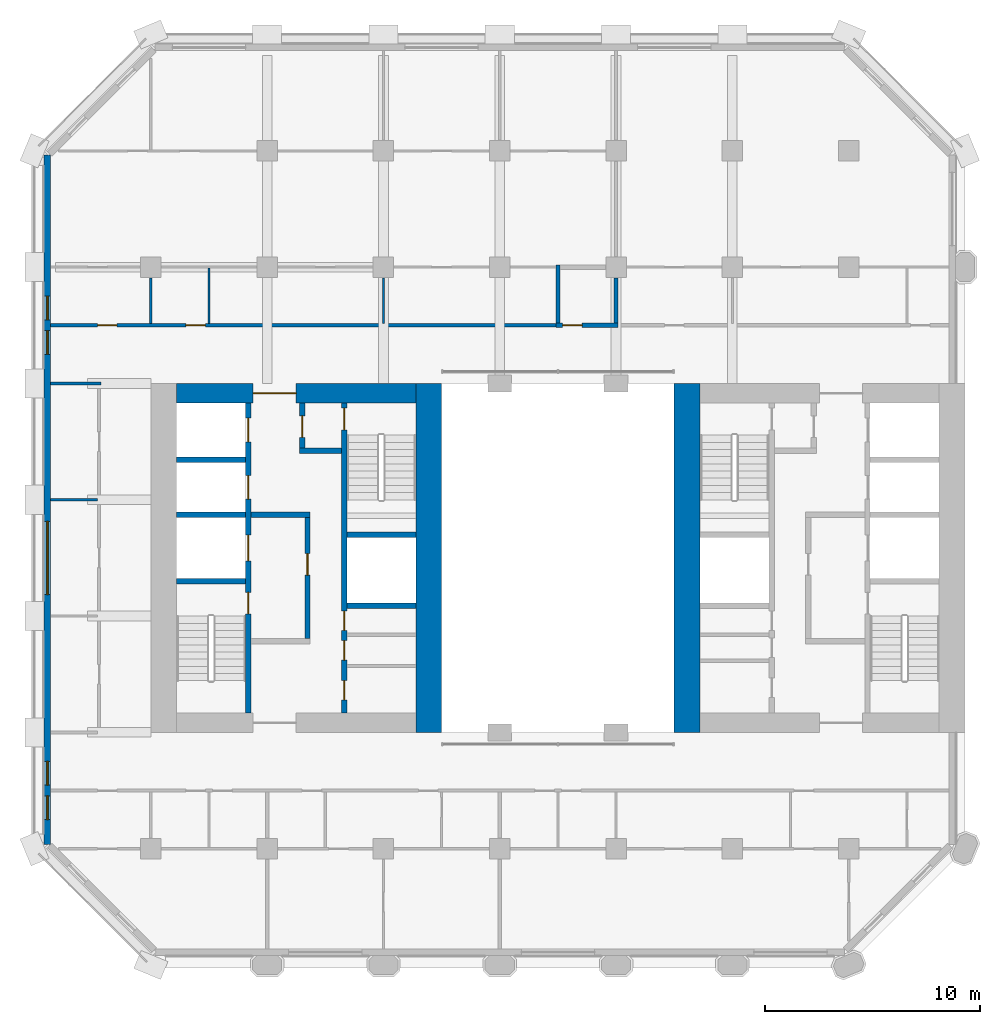
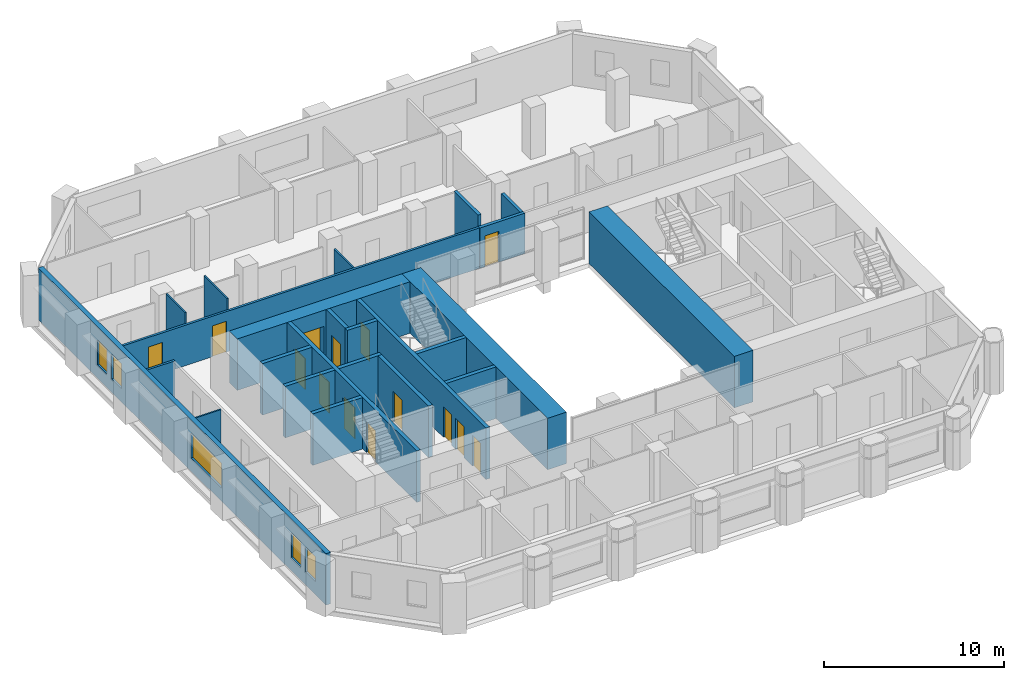
# One storey, part 7 of 13: 24 walls, 14 doors, 5 windows, 19 openings.
"""IFC4 building model written with IfcOpenShell, lengths in metres."""

from ifc_helpers import new_model, si_unit, direction, frame, frame_2d, origin, place, context, subcontext, project, spatial, rectangle, extrude, material, layer, layer_set, type_object, element, fill, save


model = new_model("IFC4")

# Units and contexts
model_context = context("Model", 3, precision=1e-05, world=origin(), true_north=direction((0.0, 1.0)))
body_context = subcontext(model_context, "Body", "Model", "MODEL_VIEW")
ifc_project = project(units=[si_unit("LENGTHUNIT", "METRE"), si_unit("AREAUNIT", "SQUARE_METRE"), si_unit("VOLUMEUNIT", "CUBIC_METRE"), si_unit("PLANEANGLEUNIT", "RADIAN"), si_unit("MASSUNIT", "GRAM", prefix="KILO")], contexts=[model_context])

# Site, building, storey
site_placement = place(None, origin())
site = spatial("IfcSite", under=ifc_project, at=site_placement, CompositionType="ELEMENT")
building_placement = place(site_placement, origin())
building = spatial("IfcBuilding", under=site, at=building_placement, Name="Tabaq Tower and Sports Hall", CompositionType="ELEMENT")
storey_placement = place(building_placement, frame((0.0, 0.0, 106.800048828125)))
storey = spatial("IfcBuildingStorey", under=building, at=storey_placement, Name="L25", CompositionType="ELEMENT", Elevation=106.800048828125)

# Walls
ifc_material_1 = material(Name="Concrete C60/75", Category="concrete")
ifc_layer_1 = layer(ifc_material_1, 1.199951171875)
ifc_layer_set_1 = layer_set([ifc_layer_1], Name="Core wall 1200 Concrete C60/75")
wall_type_1 = type_object("IfcWallType", Name="Core wall 1200 Concrete C60/75", PredefinedType="SOLIDWALL", material=ifc_layer_set_1)
for number, where, z_axis, x_axis, name in (
    (1, (18.300048828125, 32.39990234375, 0.0), (0.0, 0.0, 1.0), (0.0, -1.0, 0.0), "Core wall W L25"),
    (2, (30.300048828125, 16.199951171875, 0.0), (0.0, 0.0, 1.0), (0.0, 1.0, 0.0), "Core wall E L25"),
):
    element("IfcWall", number, at=place(storey_placement, frame(where, z_axis=z_axis, x_axis=x_axis)), inside=storey, type_object=wall_type_1, Name=name, PredefinedType="SOLIDWALL", context=body_context, shape_type="SweptSolid", body=[
        extrude(rectangle(XDim=16.199951171875, YDim=1.199951171875, at=frame_2d((8.10009765625, 0.0))), origin(), (0.0, 0.0, 1.0), 3.5),
    ])

# Wall, opening, door
ifc_material_2 = material(Name="Concrete C60/75", Category="concrete")
ifc_layer_2 = layer(ifc_material_2, 0.89990234375)
ifc_layer_set_2 = layer_set([ifc_layer_2], Name="Core wall 900 Concrete C60/75")
wall_type_2 = type_object("IfcWallType", Name="Core wall 900 Concrete C60/75", PredefinedType="SOLIDWALL", material=ifc_layer_set_2)
wall_1_placement = place(storey_placement, frame((6.60009765625, 31.949951171875, 0.0), z_axis=(0.0, 0.0, 1.0), x_axis=(1.0, 0.0, 0.0)))
wall_1 = element("IfcWall", 3, at=wall_1_placement, inside=storey, type_object=wall_type_2, Name="Core wall W L25", PredefinedType="SOLIDWALL", context=body_context, shape_type="SweptSolid", body=[
    extrude(rectangle(XDim=11.099853515625, YDim=0.89990234375, at=frame_2d((5.5498046875, 0.0))), origin(), (0.0, 0.0, 1.0), 3.5),
])
opening_1_placement = place(wall_1_placement, frame((3.550048828125, 0.0, 0.0)))
opening_1 = element("IfcOpeningElement", 4, at=opening_1_placement, cuts=wall_1, Name="Opening PD-WL25-02", PredefinedType="OPENING", context=body_context, shape_type="SweptSolid", body=[
    extrude(rectangle(XDim=2.0, YDim=2.39990234375, at=frame_2d((1.0, 1.199951171875))), frame((0.0, 0.449951171875, 0.0), z_axis=(0.0, -1.0, 0.0), x_axis=(1.0, 0.0, 0.0)), (0.0, 0.0, 1.0), 0.89990234375),
])
ifc_material_3 = material(Name="Steel fire door", Category="steel")
door_type_1 = type_object("IfcDoorType", Name="Core entrance door 2000", OperationType="DOUBLE_DOOR_SINGLE_SWING", PredefinedType="DOOR", material=ifc_material_3)
door_1_placement = place(opening_1_placement, origin())
door_1 = element("IfcDoor", 5, at=door_1_placement, inside=storey, type_object=door_type_1, Name="Core entrance north W L25", OperationType="DOUBLE_DOOR_SINGLE_SWING", OverallHeight=2.39990234375, OverallWidth=2.0, PredefinedType="DOOR", context=body_context, shape_type="SweptSolid", body=[
    extrude(rectangle(XDim=2.0, YDim=2.39990234375, at=frame_2d((1.0, 1.199951171875))), frame((0.0, 0.02490234375, 0.0), z_axis=(0.0, -1.0, 0.0), x_axis=(1.0, 0.0, 0.0)), (0.0, 0.0, 1.0), 0.050048828125),
])
fill(opening_1, door_1)

ifc_material_4 = material(Name="Blockwork", Category="masonry")
ifc_layer_3 = layer(ifc_material_4, 0.199951171875)
ifc_layer_set_3 = layer_set([ifc_layer_3], Name="Fire compartment wall 200 Blockwork")
wall_type_3 = type_object("IfcWallType", Name="Fire compartment wall 200 Blockwork", PredefinedType="PARTITIONING", material=ifc_layer_set_3)
wall_2_placement = place(storey_placement, frame((27.10009765625, 35.10009765625, 0.0), z_axis=(0.0, 0.0, 1.0), x_axis=(-1.0, 0.0, 0.0)))
wall_2 = element("IfcWall", 6, at=wall_2_placement, inside=storey, type_object=wall_type_3, Name="Compartment wall L25", PredefinedType="PARTITIONING", context=body_context, shape_type="SweptSolid", body=[
    extrude(rectangle(XDim=2.900146484375, YDim=0.199951171875, at=frame_2d((1.4501953125, 0.0))), origin(), (0.0, 0.0, 1.0), 2.75),
])
opening_2_placement = place(wall_2_placement, frame((1.679931640625, 0.0, 0.0)))
opening_2 = element("IfcOpeningElement", 7, at=opening_2_placement, cuts=wall_2, Name="Opening L25-002", PredefinedType="OPENING", context=body_context, shape_type="SweptSolid", body=[
    extrude(rectangle(XDim=0.89990234375, YDim=2.10009765625, at=frame_2d((0.449951171875, 1.050048828125))), frame((0.0, 0.10009765625, 0.0), z_axis=(0.0, -1.0, 0.0), x_axis=(1.0, 0.0, 0.0)), (0.0, 0.0, 1.0), 0.199951171875),
])
ifc_material_5 = material(Name="Steel fire door", Category="steel")
door_type_2 = type_object("IfcDoorType", Name="Plant room door 900 left hand", OperationType="SINGLE_SWING_LEFT", PredefinedType="DOOR", material=ifc_material_5)
door_2_placement = place(opening_2_placement, origin())
door_2 = element("IfcDoor", 8, at=door_2_placement, inside=storey, type_object=door_type_2, Name="Plant room door L25-002", OperationType="SINGLE_SWING_LEFT", OverallHeight=2.10009765625, OverallWidth=0.89990234375, PredefinedType="DOOR", context=body_context, shape_type="SweptSolid", body=[
    extrude(rectangle(XDim=0.89990234375, YDim=2.10009765625, at=frame_2d((0.449951171875, 1.050048828125))), frame((0.0, 0.02490234375, 0.0), z_axis=(0.0, -1.0, 0.0), x_axis=(1.0, 0.0, 0.0)), (0.0, 0.0, 1.0), 0.050048828125),
])
fill(opening_2, door_2)

# Walls
wall_3_placement = place(storey_placement, frame((24.300048828125, 35.199951171875, 0.0), z_axis=(0.0, 0.0, 1.0), x_axis=(0.0, 1.0, 0.0)))
element("IfcWall", 9, at=wall_3_placement, inside=storey, type_object=wall_type_3, Name="Compartment wall L25", PredefinedType="PARTITIONING", context=body_context, shape_type="SweptSolid", body=[
    extrude(rectangle(XDim=2.699951171875, YDim=0.199951171875, at=frame_2d((1.35009765625, 0.0))), origin(), (0.0, 0.0, 1.0), 3.5),
])
wall_4_placement = place(storey_placement, frame((27.0, 35.199951171875, 0.0), z_axis=(0.0, 0.0, 1.0), x_axis=(0.0, 1.0, 0.0)))
element("IfcWall", 10, at=wall_4_placement, inside=storey, type_object=wall_type_3, Name="Compartment wall L25", PredefinedType="PARTITIONING", context=body_context, shape_type="SweptSolid", body=[
    extrude(rectangle(XDim=2.10498046875, YDim=0.199951171875, at=frame_2d((1.052490234375, 0.0))), origin(), (0.0, 0.0, 1.0), 2.75),
])
ifc_material_6 = material(Name="Gypsum board on steel studs", Category="steel")
ifc_layer_4 = layer(ifc_material_6, 0.10009765625)
ifc_layer_set_4 = layer_set([ifc_layer_4], Name="Partition 100 Gypsum board")
wall_type_4 = type_object("IfcWallType", Name="Partition 100 Gypsum board", PredefinedType="PARTITIONING", material=ifc_layer_set_4)
wall_5_placement = place(storey_placement, frame((5.39990234375, 35.175048828125, 0.0), z_axis=(0.0, 0.0, 1.0), x_axis=(0.0, 1.0, 0.0)))
element("IfcWall", 11, at=wall_5_placement, inside=storey, type_object=wall_type_4, Name="Partition wall L25", PredefinedType="PARTITIONING", context=body_context, shape_type="SweptSolid", body=[
    extrude(rectangle(XDim=2.1298828125, YDim=0.10009765625, at=frame_2d((1.06494140625, 0.0))), origin(), (0.0, 0.0, 1.0), 3.5),
])
wall_6_placement = place(storey_placement, frame((8.10009765625, 35.175048828125, 0.0), z_axis=(0.0, 0.0, 1.0), x_axis=(0.0, 1.0, 0.0)))
element("IfcWall", 12, at=wall_6_placement, inside=storey, type_object=wall_type_4, Name="Partition wall L25", PredefinedType="PARTITIONING", context=body_context, shape_type="SweptSolid", body=[
    extrude(rectangle(XDim=2.574951171875, YDim=0.10009765625, at=frame_2d((1.28759765625, 0.0))), origin(), (0.0, 0.0, 1.0), 3.5),
])
wall_7_placement = place(storey_placement, frame((16.199951171875, 35.175048828125, 0.0), z_axis=(0.0, 0.0, 1.0), x_axis=(0.0, 1.0, 0.0)))
element("IfcWall", 13, at=wall_7_placement, inside=storey, type_object=wall_type_4, Name="Partition wall L25", PredefinedType="PARTITIONING", context=body_context, shape_type="SweptSolid", body=[
    extrude(rectangle(XDim=2.1298828125, YDim=0.10009765625, at=frame_2d((1.06494140625, 0.0))), origin(), (0.0, 0.0, 1.0), 2.75),
])
wall_8_placement = place(storey_placement, frame((2.925048828125, 27.0, 0.0), z_axis=(0.0, 0.0, 1.0), x_axis=(-1.0, 0.0, 0.0)))
element("IfcWall", 14, at=wall_8_placement, inside=storey, type_object=wall_type_4, Name="Partition wall L25", PredefinedType="PARTITIONING", context=body_context, shape_type="SweptSolid", body=[
    extrude(rectangle(XDim=2.174072265625, YDim=0.10009765625, at=frame_2d((1.0869140625, 0.0))), origin(), (0.0, 0.0, 1.0), 2.75),
])

# Wall, openings, doors
ifc_material_7 = material(Name="Blockwork", Category="masonry")
ifc_layer_5 = layer(ifc_material_7, 0.14990234375)
ifc_layer_set_5 = layer_set([ifc_layer_5], Name="Separating wall 150 Blockwork")
wall_type_5 = type_object("IfcWallType", Name="Separating wall 150 Blockwork", PredefinedType="PARTITIONING", material=ifc_layer_set_5)
wall_9_placement = place(storey_placement, frame((24.199951171875, 35.10009765625, 0.0), z_axis=(0.0, 0.0, 1.0), x_axis=(-1.0, 0.0, 0.0)))
wall_9 = element("IfcWall", 15, at=wall_9_placement, inside=storey, type_object=wall_type_5, Name="Separating wall L25", PredefinedType="PARTITIONING", context=body_context, shape_type="SweptSolid", body=[
    extrude(rectangle(XDim=23.448974609375, YDim=0.14990234375, at=frame_2d((11.724609375, 0.0))), origin(), (0.0, 0.0, 1.0), 2.75),
])
opening_3_placement = place(wall_9_placement, frame((16.27001953125, 0.0, 0.0)))
opening_3 = element("IfcOpeningElement", 16, at=opening_3_placement, cuts=wall_9, Name="Opening L25-001", PredefinedType="OPENING", context=body_context, shape_type="SweptSolid", body=[
    extrude(rectangle(XDim=0.89990234375, YDim=2.10009765625, at=frame_2d((0.449951171875, 1.050048828125))), frame((0.0, 0.074951171875, 0.0), z_axis=(0.0, -1.0, 0.0), x_axis=(1.0, 0.0, 0.0)), (0.0, 0.0, 1.0), 0.14990234375),
])
opening_4_placement = place(wall_9_placement, frame((20.375, 0.0, 0.0)))
opening_4 = element("IfcOpeningElement", 17, at=opening_4_placement, cuts=wall_9, Name="Opening L25-025", PredefinedType="OPENING", context=body_context, shape_type="SweptSolid", body=[
    extrude(rectangle(XDim=0.89990234375, YDim=2.10009765625, at=frame_2d((0.449951171875, 1.050048828125))), frame((0.0, 0.074951171875, 0.0), z_axis=(0.0, -1.0, 0.0), x_axis=(1.0, 0.0, 0.0)), (0.0, 0.0, 1.0), 0.14990234375),
])
ifc_material_8 = material(Name="Steel fire door", Category="steel")
door_type_3 = type_object("IfcDoorType", Name="Entrance door 900 right hand", OperationType="SINGLE_SWING_RIGHT", PredefinedType="DOOR", material=ifc_material_8)
door_3_placement = place(opening_3_placement, origin())
door_3 = element("IfcDoor", 18, at=door_3_placement, inside=storey, type_object=door_type_3, Name="Entrance door L25-001", OperationType="SINGLE_SWING_RIGHT", OverallHeight=2.10009765625, OverallWidth=0.89990234375, PredefinedType="DOOR", context=body_context, shape_type="SweptSolid", body=[
    extrude(rectangle(XDim=0.89990234375, YDim=2.10009765625, at=frame_2d((0.449951171875, 1.050048828125))), frame((0.0, 0.02490234375, 0.0), z_axis=(0.0, -1.0, 0.0), x_axis=(1.0, 0.0, 0.0)), (0.0, 0.0, 1.0), 0.050048828125),
])
fill(opening_3, door_3)
door_4_placement = place(opening_4_placement, origin())
door_4 = element("IfcDoor", 19, at=door_4_placement, inside=storey, type_object=door_type_3, Name="Entrance door L25-025", OperationType="SINGLE_SWING_RIGHT", OverallHeight=2.10009765625, OverallWidth=0.89990234375, PredefinedType="DOOR", context=body_context, shape_type="SweptSolid", body=[
    extrude(rectangle(XDim=0.89990234375, YDim=2.10009765625, at=frame_2d((0.449951171875, 1.050048828125))), frame((0.0, 0.02490234375, 0.0), z_axis=(0.0, -1.0, 0.0), x_axis=(1.0, 0.0, 0.0)), (0.0, 0.0, 1.0), 0.050048828125),
])
fill(opening_4, door_4)

# Wall
wall_10_placement = place(storey_placement, frame((0.7509765625, 32.39990234375, 0.0), z_axis=(0.0, 0.0, 1.0), x_axis=(1.0, 0.0, 0.0)))
element("IfcWall", 20, at=wall_10_placement, inside=storey, type_object=wall_type_5, Name="Separating wall L25", PredefinedType="PARTITIONING", context=body_context, shape_type="SweptSolid", body=[
    extrude(rectangle(XDim=2.323974609375, YDim=0.14990234375, at=frame_2d((1.162109375, 0.0))), origin(), (0.0, 0.0, 1.0), 2.75),
])

# Wall, openings, doors
ifc_material_9 = material(Name="Concrete C40/50", Category="concrete")
ifc_layer_6 = layer(ifc_material_9, 0.25)
ifc_layer_set_6 = layer_set([ifc_layer_6], Name="Shaft and stair wall 250 Concrete C40/50")
wall_type_6 = type_object("IfcWallType", Name="Shaft and stair wall 250 Concrete C40/50", PredefinedType="SOLIDWALL", material=ifc_layer_set_6)
wall_11_placement = place(storey_placement, frame((9.925048828125, 17.10009765625, 0.0), z_axis=(0.0, 0.0, 1.0), x_axis=(0.0, 1.0, 0.0)))
wall_11 = element("IfcWall", 21, at=wall_11_placement, inside=storey, type_object=wall_type_6, Name="Shaft wall W L25", PredefinedType="SOLIDWALL", context=body_context, shape_type="SweptSolid", body=[
    extrude(rectangle(XDim=14.39990234375, YDim=0.25, at=frame_2d((7.199951171875, 0.0))), origin(), (0.0, 0.0, 1.0), 3.5),
])
opening_5_placement = place(wall_11_placement, frame((4.60009765625, 0.0, 0.0)))
opening_5 = element("IfcOpeningElement", 22, at=opening_5_placement, cuts=wall_11, Name="Opening SD-WL25-03", PredefinedType="OPENING", context=body_context, shape_type="SweptSolid", body=[
    extrude(rectangle(XDim=1.0, YDim=2.10009765625, at=frame_2d((0.5, 1.050048828125))), frame((0.0, 0.125, 0.0), z_axis=(0.0, -1.0, 0.0), x_axis=(1.0, 0.0, 0.0)), (0.0, 0.0, 1.0), 0.25),
])
opening_6_placement = place(wall_11_placement, frame((7.0625, 0.0, 0.0)))
opening_6 = element("IfcOpeningElement", 23, at=opening_6_placement, cuts=wall_11, Name="Opening LD-FF1-L25", PredefinedType="OPENING", context=body_context, shape_type="SweptSolid", body=[
    extrude(rectangle(XDim=1.199951171875, YDim=2.10009765625, at=frame_2d((0.60009765625, 1.050048828125))), frame((0.0, 0.125, 0.0), z_axis=(0.0, -1.0, 0.0), x_axis=(1.0, 0.0, 0.0)), (0.0, 0.0, 1.0), 0.25),
])
opening_7_placement = place(wall_11_placement, frame((9.925048828125, 0.0, 0.0)))
opening_7 = element("IfcOpeningElement", 24, at=opening_7_placement, cuts=wall_11, Name="Opening LD-LR1-L25", PredefinedType="OPENING", context=body_context, shape_type="SweptSolid", body=[
    extrude(rectangle(XDim=1.10009765625, YDim=2.10009765625, at=frame_2d((0.550048828125, 1.050048828125))), frame((0.0, 0.125, 0.0), z_axis=(0.0, -1.0, 0.0), x_axis=(1.0, 0.0, 0.0)), (0.0, 0.0, 1.0), 0.25),
])
opening_8_placement = place(wall_11_placement, frame((12.58740234375, 0.0, 0.0)))
opening_8 = element("IfcOpeningElement", 25, at=opening_8_placement, cuts=wall_11, Name="Opening LD-LR2-L25", PredefinedType="OPENING", context=body_context, shape_type="SweptSolid", body=[
    extrude(rectangle(XDim=1.10009765625, YDim=2.10009765625, at=frame_2d((0.550048828125, 1.050048828125))), frame((0.0, 0.125, 0.0), z_axis=(0.0, -1.0, 0.0), x_axis=(1.0, 0.0, 0.0)), (0.0, 0.0, 1.0), 0.25),
])
ifc_material_10 = material(Name="Stainless steel", Category="steel")
door_type_4 = type_object("IfcDoorType", Name="Lift landing door 1100", OperationType="DOUBLE_DOOR_SLIDING", PredefinedType="DOOR", material=ifc_material_10)
door_5_placement = place(opening_7_placement, origin())
door_5 = element("IfcDoor", 26, at=door_5_placement, inside=storey, type_object=door_type_4, Name="Lift landing door LR1 W L25", OperationType="DOUBLE_DOOR_SLIDING", OverallHeight=2.10009765625, OverallWidth=1.10009765625, PredefinedType="DOOR", context=body_context, shape_type="SweptSolid", body=[
    extrude(rectangle(XDim=1.10009765625, YDim=2.10009765625, at=frame_2d((0.550048828125, 1.050048828125))), frame((0.0, 0.02490234375, 0.0), z_axis=(0.0, -1.0, 0.0), x_axis=(1.0, 0.0, 0.0)), (0.0, 0.0, 1.0), 0.050048828125),
])
fill(opening_7, door_5)
door_6_placement = place(opening_8_placement, origin())
door_6 = element("IfcDoor", 27, at=door_6_placement, inside=storey, type_object=door_type_4, Name="Lift landing door LR2 W L25", OperationType="DOUBLE_DOOR_SLIDING", OverallHeight=2.10009765625, OverallWidth=1.10009765625, PredefinedType="DOOR", context=body_context, shape_type="SweptSolid", body=[
    extrude(rectangle(XDim=1.10009765625, YDim=2.10009765625, at=frame_2d((0.550048828125, 1.050048828125))), frame((0.0, 0.02490234375, 0.0), z_axis=(0.0, -1.0, 0.0), x_axis=(1.0, 0.0, 0.0)), (0.0, 0.0, 1.0), 0.050048828125),
])
fill(opening_8, door_6)
ifc_material_11 = material(Name="Stainless steel", Category="steel")
door_type_5 = type_object("IfcDoorType", Name="Lift landing door 1200", OperationType="DOUBLE_DOOR_SLIDING", PredefinedType="DOOR", material=ifc_material_11)
door_7_placement = place(opening_6_placement, origin())
door_7 = element("IfcDoor", 28, at=door_7_placement, inside=storey, type_object=door_type_5, Name="Lift landing door FF1 W L25", OperationType="DOUBLE_DOOR_SLIDING", OverallHeight=2.10009765625, OverallWidth=1.199951171875, PredefinedType="DOOR", context=body_context, shape_type="SweptSolid", body=[
    extrude(rectangle(XDim=1.199951171875, YDim=2.10009765625, at=frame_2d((0.60009765625, 1.050048828125))), frame((0.0, 0.02490234375, 0.0), z_axis=(0.0, -1.0, 0.0), x_axis=(1.0, 0.0, 0.0)), (0.0, 0.0, 1.0), 0.050048828125),
])
fill(opening_6, door_7)
ifc_material_12 = material(Name="Steel fire door", Category="steel")
door_type_6 = type_object("IfcDoorType", Name="Stair door 1000", OperationType="SINGLE_SWING_LEFT", PredefinedType="DOOR", material=ifc_material_12)
door_8_placement = place(opening_5_placement, origin())
door_8 = element("IfcDoor", 29, at=door_8_placement, inside=storey, type_object=door_type_6, Name="Stair door ST1 W L25", OperationType="SINGLE_SWING_LEFT", OverallHeight=2.10009765625, OverallWidth=1.0, PredefinedType="DOOR", context=body_context, shape_type="SweptSolid", body=[
    extrude(rectangle(XDim=1.0, YDim=2.10009765625, at=frame_2d((0.5, 1.050048828125))), frame((0.0, 0.02490234375, 0.0), z_axis=(0.0, -1.0, 0.0), x_axis=(1.0, 0.0, 0.0)), (0.0, 0.0, 1.0), 0.050048828125),
])
fill(opening_5, door_8)

wall_12_placement = place(storey_placement, frame((14.375, 17.10009765625, 0.0), z_axis=(0.0, 0.0, 1.0), x_axis=(0.0, 1.0, 0.0)))
wall_12 = element("IfcWall", 30, at=wall_12_placement, inside=storey, type_object=wall_type_6, Name="Shaft wall W L25", PredefinedType="SOLIDWALL", context=body_context, shape_type="SweptSolid", body=[
    extrude(rectangle(XDim=14.39990234375, YDim=0.25, at=frame_2d((7.199951171875, 0.0))), origin(), (0.0, 0.0, 1.0), 3.5),
])
opening_9_placement = place(wall_12_placement, frame((13.14990234375, 0.0, 0.0)))
opening_9 = element("IfcOpeningElement", 31, at=opening_9_placement, cuts=wall_12, Name="Opening SD-WL25-05", PredefinedType="OPENING", context=body_context, shape_type="SweptSolid", body=[
    extrude(rectangle(XDim=1.0, YDim=2.10009765625, at=frame_2d((0.5, 1.050048828125))), frame((0.0, 0.125, 0.0), z_axis=(0.0, -1.0, 0.0), x_axis=(1.0, 0.0, 0.0)), (0.0, 0.0, 1.0), 0.25),
])
opening_10_placement = place(wall_12_placement, frame((0.60400390625, 0.0, 0.0)))
opening_10 = element("IfcOpeningElement", 32, at=opening_10_placement, cuts=wall_12, Name="Opening RD-WL25-10", PredefinedType="OPENING", context=body_context, shape_type="SweptSolid", body=[
    extrude(rectangle(XDim=0.89990234375, YDim=2.10009765625, at=frame_2d((0.449951171875, 1.050048828125))), frame((0.0, 0.125, 0.0), z_axis=(0.0, -1.0, 0.0), x_axis=(1.0, 0.0, 0.0)), (0.0, 0.0, 1.0), 0.25),
])
opening_11_placement = place(wall_12_placement, frame((2.46044921875, 0.0, 0.0)))
opening_11 = element("IfcOpeningElement", 33, at=opening_11_placement, cuts=wall_12, Name="Opening RD-WL25-11", PredefinedType="OPENING", context=body_context, shape_type="SweptSolid", body=[
    extrude(rectangle(XDim=0.89990234375, YDim=2.10009765625, at=frame_2d((0.449951171875, 1.050048828125))), frame((0.0, 0.125, 0.0), z_axis=(0.0, -1.0, 0.0), x_axis=(1.0, 0.0, 0.0)), (0.0, 0.0, 1.0), 0.25),
])
opening_12_placement = place(wall_12_placement, frame((3.83154296875, 0.0, 0.0)))
opening_12 = element("IfcOpeningElement", 34, at=opening_12_placement, cuts=wall_12, Name="Opening RD-WL25-12", PredefinedType="OPENING", context=body_context, shape_type="SweptSolid", body=[
    extrude(rectangle(XDim=0.89990234375, YDim=2.10009765625, at=frame_2d((0.449951171875, 1.050048828125))), frame((0.0, 0.125, 0.0), z_axis=(0.0, -1.0, 0.0), x_axis=(1.0, 0.0, 0.0)), (0.0, 0.0, 1.0), 0.25),
])
ifc_material_13 = material(Name="Steel fire door", Category="steel")
door_type_7 = type_object("IfcDoorType", Name="Core room door 900", OperationType="SINGLE_SWING_LEFT", PredefinedType="DOOR", material=ifc_material_13)
door_9_placement = place(opening_10_placement, origin())
door_9 = element("IfcDoor", 35, at=door_9_placement, inside=storey, type_object=door_type_7, Name="Door Unisex WC W L25", OperationType="SINGLE_SWING_LEFT", OverallHeight=2.10009765625, OverallWidth=0.89990234375, PredefinedType="DOOR", context=body_context, shape_type="SweptSolid", body=[
    extrude(rectangle(XDim=0.89990234375, YDim=2.10009765625, at=frame_2d((0.449951171875, 1.050048828125))), frame((0.0, 0.02490234375, 0.0), z_axis=(0.0, -1.0, 0.0), x_axis=(1.0, 0.0, 0.0)), (0.0, 0.0, 1.0), 0.050048828125),
])
fill(opening_10, door_9)
door_10_placement = place(opening_11_placement, origin())
door_10 = element("IfcDoor", 36, at=door_10_placement, inside=storey, type_object=door_type_7, Name="Door Accessible WC W L25", OperationType="SINGLE_SWING_LEFT", OverallHeight=2.10009765625, OverallWidth=0.89990234375, PredefinedType="DOOR", context=body_context, shape_type="SweptSolid", body=[
    extrude(rectangle(XDim=0.89990234375, YDim=2.10009765625, at=frame_2d((0.449951171875, 1.050048828125))), frame((0.0, 0.02490234375, 0.0), z_axis=(0.0, -1.0, 0.0), x_axis=(1.0, 0.0, 0.0)), (0.0, 0.0, 1.0), 0.050048828125),
])
fill(opening_11, door_10)
door_11_placement = place(opening_12_placement, origin())
door_11 = element("IfcDoor", 37, at=door_11_placement, inside=storey, type_object=door_type_7, Name="Door Electrical Riser Room W L25", OperationType="SINGLE_SWING_LEFT", OverallHeight=2.10009765625, OverallWidth=0.89990234375, PredefinedType="DOOR", context=body_context, shape_type="SweptSolid", body=[
    extrude(rectangle(XDim=0.89990234375, YDim=2.10009765625, at=frame_2d((0.449951171875, 1.050048828125))), frame((0.0, 0.02490234375, 0.0), z_axis=(0.0, -1.0, 0.0), x_axis=(1.0, 0.0, 0.0)), (0.0, 0.0, 1.0), 0.050048828125),
])
fill(opening_12, door_11)
door_12_placement = place(opening_9_placement, origin())
door_12 = element("IfcDoor", 38, at=door_12_placement, inside=storey, type_object=door_type_6, Name="Stair door ST2 W L25", OperationType="SINGLE_SWING_LEFT", OverallHeight=2.10009765625, OverallWidth=1.0, PredefinedType="DOOR", context=body_context, shape_type="SweptSolid", body=[
    extrude(rectangle(XDim=1.0, YDim=2.10009765625, at=frame_2d((0.5, 1.050048828125))), frame((0.0, 0.02490234375, 0.0), z_axis=(0.0, -1.0, 0.0), x_axis=(1.0, 0.0, 0.0)), (0.0, 0.0, 1.0), 0.050048828125),
])
fill(opening_9, door_12)

# Walls
for number, where, z_axis, x_axis, name in (
    (39, (6.60009765625, 23.22509765625, 0.0), (0.0, 0.0, 1.0), (1.0, 0.0, 0.0), "Stair enclosure wall W L25"),
    (40, (14.5, 25.375, 0.0), (0.0, 0.0, 1.0), (1.0, 0.0, 0.0), "Stair enclosure wall W L25"),
    (41, (14.5, 22.074951171875, 0.0), (0.0, 0.0, 1.0), (1.0, 0.0, 0.0), "Shaft wall W L25"),
    (42, (6.60009765625, 26.300048828125, 0.0), (0.0, 0.0, 1.0), (1.0, 0.0, 0.0), "Shaft wall W L25"),
):
    element("IfcWall", number, at=place(storey_placement, frame(where, z_axis=z_axis, x_axis=x_axis)), inside=storey, type_object=wall_type_6, Name=name, PredefinedType="SOLIDWALL", context=body_context, shape_type="SweptSolid", body=[
        extrude(rectangle(XDim=3.199951171875, YDim=0.25, at=frame_2d((1.60009765625, 0.0))), origin(), (0.0, 0.0, 1.0), 3.5),
    ])
wall_13_placement = place(storey_placement, frame((10.050048828125, 26.300048828125, 0.0), z_axis=(0.0, 0.0, 1.0), x_axis=(1.0, 0.0, 0.0)))
element("IfcWall", 43, at=wall_13_placement, inside=storey, type_object=wall_type_6, Name="Fire-fighting lobby wall W L25", PredefinedType="SOLIDWALL", context=body_context, shape_type="SweptSolid", body=[
    extrude(rectangle(XDim=2.75, YDim=0.25, at=frame_2d((1.375, 0.0))), origin(), (0.0, 0.0, 1.0), 3.5),
])

# Wall, opening, door
wall_14_placement = place(storey_placement, frame((12.425048828125, 29.39990234375, 0.0), z_axis=(0.0, 0.0, 1.0), x_axis=(0.0, 1.0, 0.0)))
wall_14 = element("IfcWall", 44, at=wall_14_placement, inside=storey, type_object=wall_type_6, Name="Fire-fighting lobby wall W L25", PredefinedType="SOLIDWALL", context=body_context, shape_type="SweptSolid", body=[
    extrude(rectangle(XDim=2.10009765625, YDim=0.25, at=frame_2d((1.050048828125, 0.0))), origin(), (0.0, 0.0, 1.0), 3.5),
])
opening_13_placement = place(wall_14_placement, frame((0.5, 0.0, 0.0)))
opening_13 = element("IfcOpeningElement", 45, at=opening_13_placement, cuts=wall_14, Name="Opening FD-WL25-06", PredefinedType="OPENING", context=body_context, shape_type="SweptSolid", body=[
    extrude(rectangle(XDim=1.0, YDim=2.10009765625, at=frame_2d((0.5, 1.050048828125))), frame((0.0, 0.125, 0.0), z_axis=(0.0, -1.0, 0.0), x_axis=(1.0, 0.0, 0.0)), (0.0, 0.0, 1.0), 0.25),
])
ifc_material_14 = material(Name="Steel fire door", Category="steel")
door_type_8 = type_object("IfcDoorType", Name="Fire-fighting lobby door 1000", OperationType="SINGLE_SWING_LEFT", PredefinedType="DOOR", material=ifc_material_14)
door_13_placement = place(opening_13_placement, origin())
door_13 = element("IfcDoor", 46, at=door_13_placement, inside=storey, type_object=door_type_8, Name="Stair lobby door W L25", OperationType="SINGLE_SWING_LEFT", OverallHeight=2.10009765625, OverallWidth=1.0, PredefinedType="DOOR", context=body_context, shape_type="SweptSolid", body=[
    extrude(rectangle(XDim=1.0, YDim=2.10009765625, at=frame_2d((0.5, 1.050048828125))), frame((0.0, 0.02490234375, 0.0), z_axis=(0.0, -1.0, 0.0), x_axis=(1.0, 0.0, 0.0)), (0.0, 0.0, 1.0), 0.050048828125),
])
fill(opening_13, door_13)

# Wall
wall_15_placement = place(storey_placement, frame((12.300048828125, 29.27490234375, 0.0), z_axis=(0.0, 0.0, 1.0), x_axis=(1.0, 0.0, 0.0)))
element("IfcWall", 47, at=wall_15_placement, inside=storey, type_object=wall_type_6, Name="Fire-fighting lobby wall W L25", PredefinedType="SOLIDWALL", context=body_context, shape_type="SweptSolid", body=[
    extrude(rectangle(XDim=1.949951171875, YDim=0.25, at=frame_2d((0.97509765625, 0.0))), origin(), (0.0, 0.0, 1.0), 3.5),
])

# Wall, opening, door
wall_16_placement = place(storey_placement, frame((12.675048828125, 20.550048828125, 0.0), z_axis=(0.0, 0.0, 1.0), x_axis=(0.0, 1.0, 0.0)))
wall_16 = element("IfcWall", 48, at=wall_16_placement, inside=storey, type_object=wall_type_6, Name="Fire-fighting lobby wall W L25", PredefinedType="SOLIDWALL", context=body_context, shape_type="SweptSolid", body=[
    extrude(rectangle(XDim=5.625, YDim=0.25, at=frame_2d((2.8125, 0.0))), origin(), (0.0, 0.0, 1.0), 3.5),
])
opening_14_placement = place(wall_16_placement, frame((2.949951171875, 0.0, 0.0)))
opening_14 = element("IfcOpeningElement", 49, at=opening_14_placement, cuts=wall_16, Name="Opening FD-WL25-04", PredefinedType="OPENING", context=body_context, shape_type="SweptSolid", body=[
    extrude(rectangle(XDim=1.0, YDim=2.10009765625, at=frame_2d((0.5, 1.050048828125))), frame((0.0, 0.125, 0.0), z_axis=(0.0, -1.0, 0.0), x_axis=(1.0, 0.0, 0.0)), (0.0, 0.0, 1.0), 0.25),
])
door_14_placement = place(opening_14_placement, origin())
door_14 = element("IfcDoor", 50, at=door_14_placement, inside=storey, type_object=door_type_8, Name="Fire-fighting lobby door W L25", OperationType="SINGLE_SWING_LEFT", OverallHeight=2.10009765625, OverallWidth=1.0, PredefinedType="DOOR", context=body_context, shape_type="SweptSolid", body=[
    extrude(rectangle(XDim=1.0, YDim=2.10009765625, at=frame_2d((0.5, 1.050048828125))), frame((0.0, 0.02490234375, 0.0), z_axis=(0.0, -1.0, 0.0), x_axis=(1.0, 0.0, 0.0)), (0.0, 0.0, 1.0), 0.050048828125),
])
fill(opening_14, door_14)

# Wall
wall_17_placement = place(storey_placement, frame((6.60009765625, 28.85009765625, 0.0), z_axis=(0.0, 0.0, 1.0), x_axis=(1.0, 0.0, 0.0)))
element("IfcWall", 51, at=wall_17_placement, inside=storey, type_object=wall_type_6, Name="Shaft wall W L25", PredefinedType="SOLIDWALL", context=body_context, shape_type="SweptSolid", body=[
    extrude(rectangle(XDim=3.199951171875, YDim=0.25, at=frame_2d((1.60009765625, 0.0))), origin(), (0.0, 0.0, 1.0), 3.5),
])

# Wall, openings, windows
ifc_material_15 = material(Name="White precast concrete C60/75", Category="concrete")
ifc_layer_7 = layer(ifc_material_15, 0.300048828125)
ifc_layer_set_7 = layer_set([ifc_layer_7], Name="White precast concrete C60/75 external wall 300")
wall_type_7 = type_object("IfcWallType", Name="White precast concrete C60/75 external wall 300", PredefinedType="SOLIDWALL", material=ifc_layer_set_7)
wall_18_placement = place(storey_placement, frame((0.60009765625, 43.013671875, 0.0), z_axis=(0.0, 0.0, 1.0), x_axis=(0.0, -1.0, 0.0)))
wall_18 = element("IfcWall", 52, at=wall_18_placement, inside=storey, type_object=wall_type_7, Name="External Wall L25 W", PredefinedType="SOLIDWALL", context=body_context, shape_type="SweptSolid", body=[
    extrude(rectangle(XDim=32.02734375, YDim=0.300048828125, at=frame_2d((16.013671875, 0.0))), origin(), (0.0, 0.0, 1.0), 3.5),
])
opening_15_placement = place(wall_18_placement, frame((6.563720703125, 0.0, 0.89990234375)))
opening_15 = element("IfcOpeningElement", 53, at=opening_15_placement, cuts=wall_18, Name="Opening W1B", PredefinedType="OPENING", context=body_context, shape_type="SweptSolid", body=[
    extrude(rectangle(XDim=1.10009765625, YDim=1.699951171875, at=frame_2d((0.550048828125, 0.85009765625))), frame((0.0, 0.16015625, 0.0), z_axis=(0.0, -1.0, 0.0), x_axis=(1.0, 0.0, 0.0)), (0.0, 0.0, 1.0), 0.320068359375),
])
opening_16_placement = place(wall_18_placement, frame((8.16357421875, 0.0, 0.89990234375)))
opening_16 = element("IfcOpeningElement", 54, at=opening_16_placement, cuts=wall_18, Name="Opening W1B", PredefinedType="OPENING", context=body_context, shape_type="SweptSolid", body=[
    extrude(rectangle(XDim=1.10009765625, YDim=1.699951171875, at=frame_2d((0.550048828125, 0.85009765625))), frame((0.0, 0.16015625, 0.0), z_axis=(0.0, -1.0, 0.0), x_axis=(1.0, 0.0, 0.0)), (0.0, 0.0, 1.0), 0.320068359375),
])
opening_17_placement = place(wall_18_placement, frame((17.013671875, 0.0, 0.89990234375)))
opening_17 = element("IfcOpeningElement", 55, at=opening_17_placement, cuts=wall_18, Name="Opening W1A", PredefinedType="OPENING", context=body_context, shape_type="SweptSolid", body=[
    extrude(rectangle(XDim=3.39990234375, YDim=1.699951171875, at=frame_2d((1.699951171875, 0.85009765625))), frame((0.0, 0.16015625, 0.0), z_axis=(0.0, -1.0, 0.0), x_axis=(1.0, 0.0, 0.0)), (0.0, 0.0, 1.0), 0.320068359375),
])
opening_18_placement = place(wall_18_placement, frame((28.16357421875, 0.0, 0.89990234375)))
opening_18 = element("IfcOpeningElement", 56, at=opening_18_placement, cuts=wall_18, Name="Opening W1B", PredefinedType="OPENING", context=body_context, shape_type="SweptSolid", body=[
    extrude(rectangle(XDim=1.10009765625, YDim=1.699951171875, at=frame_2d((0.550048828125, 0.85009765625))), frame((0.0, 0.16015625, 0.0), z_axis=(0.0, -1.0, 0.0), x_axis=(1.0, 0.0, 0.0)), (0.0, 0.0, 1.0), 0.320068359375),
])
opening_19_placement = place(wall_18_placement, frame((29.763671875, 0.0, 0.89990234375)))
opening_19 = element("IfcOpeningElement", 57, at=opening_19_placement, cuts=wall_18, Name="Opening W1B", PredefinedType="OPENING", context=body_context, shape_type="SweptSolid", body=[
    extrude(rectangle(XDim=1.10009765625, YDim=1.699951171875, at=frame_2d((0.550048828125, 0.85009765625))), frame((0.0, 0.16015625, 0.0), z_axis=(0.0, -1.0, 0.0), x_axis=(1.0, 0.0, 0.0)), (0.0, 0.0, 1.0), 0.320068359375),
])
ifc_material_16 = material(Name="Aluminium framed clear glazing", Category="aluminium")
window_type_1 = type_object("IfcWindowType", Name="Window W1A", PartitioningType="SINGLE_PANEL", PredefinedType="WINDOW", material=ifc_material_16)
window_1_placement = place(opening_17_placement, origin())
window_1 = element("IfcWindow", 58, at=window_1_placement, inside=storey, type_object=window_type_1, Name="Window W1A L25", OverallHeight=1.699951171875, OverallWidth=3.39990234375, PartitioningType="SINGLE_PANEL", PredefinedType="WINDOW", context=body_context, shape_type="SweptSolid", body=[
    extrude(rectangle(XDim=3.39990234375, YDim=1.699951171875, at=frame_2d((1.699951171875, 0.85009765625))), frame((0.0, 0.030029296875, 0.0), z_axis=(0.0, -1.0, 0.0), x_axis=(1.0, 0.0, 0.0)), (0.0, 0.0, 1.0), 0.06005859375),
])
fill(opening_17, window_1)
ifc_material_17 = material(Name="Aluminium framed clear glazing", Category="aluminium")
window_type_2 = type_object("IfcWindowType", Name="Window W1B", PartitioningType="SINGLE_PANEL", PredefinedType="WINDOW", material=ifc_material_17)
window_2_placement = place(opening_15_placement, origin())
window_2 = element("IfcWindow", 59, at=window_2_placement, inside=storey, type_object=window_type_2, Name="Window W1B L25", OverallHeight=1.699951171875, OverallWidth=1.10009765625, PartitioningType="SINGLE_PANEL", PredefinedType="WINDOW", context=body_context, shape_type="SweptSolid", body=[
    extrude(rectangle(XDim=1.10009765625, YDim=1.699951171875, at=frame_2d((0.550048828125, 0.85009765625))), frame((0.0, 0.030029296875, 0.0), z_axis=(0.0, -1.0, 0.0), x_axis=(1.0, 0.0, 0.0)), (0.0, 0.0, 1.0), 0.06005859375),
])
fill(opening_15, window_2)
window_3_placement = place(opening_16_placement, origin())
window_3 = element("IfcWindow", 60, at=window_3_placement, inside=storey, type_object=window_type_2, Name="Window W1B L25", OverallHeight=1.699951171875, OverallWidth=1.10009765625, PartitioningType="SINGLE_PANEL", PredefinedType="WINDOW", context=body_context, shape_type="SweptSolid", body=[
    extrude(rectangle(XDim=1.10009765625, YDim=1.699951171875, at=frame_2d((0.550048828125, 0.85009765625))), frame((0.0, 0.030029296875, 0.0), z_axis=(0.0, -1.0, 0.0), x_axis=(1.0, 0.0, 0.0)), (0.0, 0.0, 1.0), 0.06005859375),
])
fill(opening_16, window_3)
window_4_placement = place(opening_18_placement, origin())
window_4 = element("IfcWindow", 61, at=window_4_placement, inside=storey, type_object=window_type_2, Name="Window W1B L25", OverallHeight=1.699951171875, OverallWidth=1.10009765625, PartitioningType="SINGLE_PANEL", PredefinedType="WINDOW", context=body_context, shape_type="SweptSolid", body=[
    extrude(rectangle(XDim=1.10009765625, YDim=1.699951171875, at=frame_2d((0.550048828125, 0.85009765625))), frame((0.0, 0.030029296875, 0.0), z_axis=(0.0, -1.0, 0.0), x_axis=(1.0, 0.0, 0.0)), (0.0, 0.0, 1.0), 0.06005859375),
])
fill(opening_18, window_4)
window_5_placement = place(opening_19_placement, origin())
window_5 = element("IfcWindow", 62, at=window_5_placement, inside=storey, type_object=window_type_2, Name="Window W1B L25", OverallHeight=1.699951171875, OverallWidth=1.10009765625, PartitioningType="SINGLE_PANEL", PredefinedType="WINDOW", context=body_context, shape_type="SweptSolid", body=[
    extrude(rectangle(XDim=1.10009765625, YDim=1.699951171875, at=frame_2d((0.550048828125, 0.85009765625))), frame((0.0, 0.030029296875, 0.0), z_axis=(0.0, -1.0, 0.0), x_axis=(1.0, 0.0, 0.0)), (0.0, 0.0, 1.0), 0.06005859375),
])
fill(opening_19, window_5)

save(model, "model.ifc")
